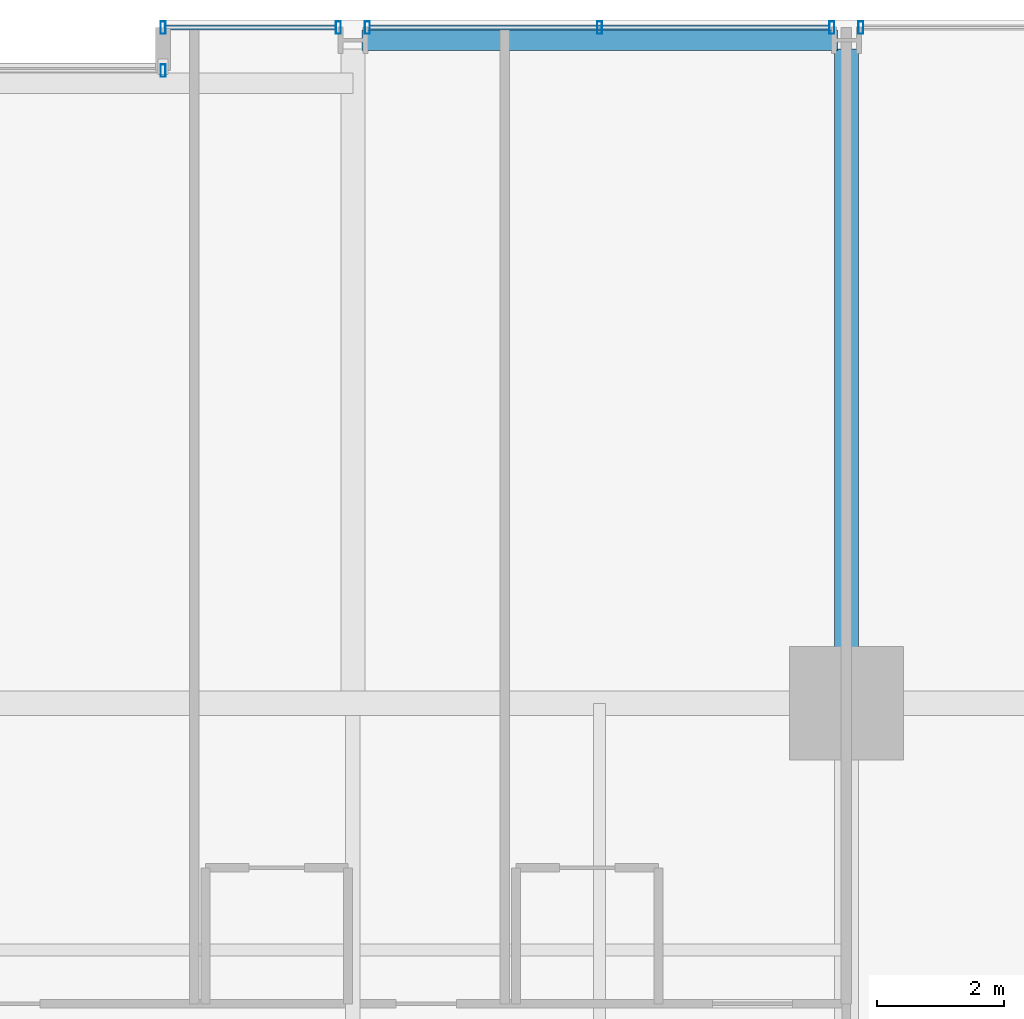
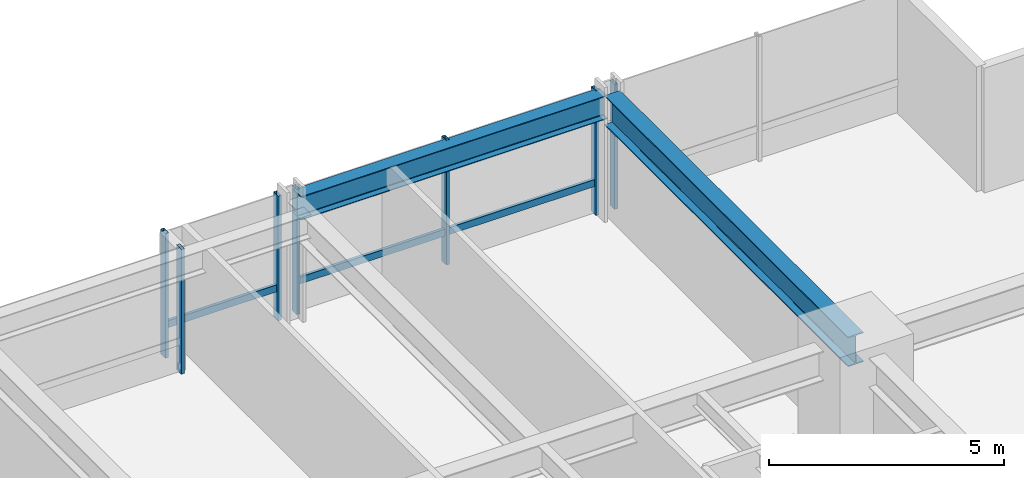
# One storey, part 27 of 38: 9 members, 2 beams, 4 elements without a shape of their own.
"""IFC4 building model written with IfcOpenShell, lengths in metres."""

from ifc_helpers import new_model, si_unit, direction, frame, origin, origin_2d, place, context, subcontext, project, spatial, hollow_rectangle, i_section, extrude, material, layer, layer_set, material_profile, profile_set, type_object, element, aggregate, save


model = new_model("IFC4")

# Units and contexts
model_context = context("Model", 3, precision=1e-05, world=origin(), true_north=direction((0.0, 1.0)))
body_context = subcontext(model_context, "Body", "Model", "MODEL_VIEW")
ifc_project = project(units=[si_unit("LENGTHUNIT", "METRE"), si_unit("AREAUNIT", "SQUARE_METRE"), si_unit("VOLUMEUNIT", "CUBIC_METRE"), si_unit("PLANEANGLEUNIT", "RADIAN"), si_unit("MASSUNIT", "GRAM", prefix="KILO")], contexts=[model_context])

# Site, building, storey
site_placement = place(None, origin())
site = spatial("IfcSite", under=ifc_project, at=site_placement, CompositionType="ELEMENT")
building_placement = place(site_placement, origin())
building = spatial("IfcBuilding", under=site, at=building_placement, Name="Drelvath Grand Hotel", CompositionType="ELEMENT")
storey_placement = place(building_placement, frame((0.0, 0.0, 64.699951171875)))
storey = spatial("IfcBuildingStorey", under=building, at=storey_placement, Name="L15", CompositionType="ELEMENT", Elevation=64.699951171875)

# Curtain wall, member
ifc_material_1 = material(Name="Warm Bronze Anodised Aluminium Frame", Category="aluminium")
ifc_layer = layer(ifc_material_1, 0.199951171875)
ifc_layer_set = layer_set([ifc_layer], Name="Warm Bronze Anodised Aluminium Frame")
curtain_wall_type = type_object("IfcCurtainWallType", Name="Stick Curtain Wall CW-02 Warm Bronze Low-Rise", PredefinedType="NOTDEFINED", material=ifc_layer_set)
curtain_wall_1_placement = place(storey_placement, origin())
curtain_wall_1 = element("IfcCurtainWall", 1, at=curtain_wall_1_placement, inside=storey, type_object=curtain_wall_type, Name="L15 CW-02 Curtain Wall CW02-L15-NE1", PredefinedType="NOTDEFINED")
ifc_material_profile_1 = material_profile(ifc_material_1, hollow_rectangle(XDim=0.074951171875, YDim=0.179931640625, WallThickness=0.0048828125, at=origin_2d()), Name="HSS180X75X5")
ifc_profile_set_1 = profile_set([ifc_material_profile_1], Name="Warm Bronze Anodised Aluminium Frame")
member_type_1 = type_object("IfcMemberType", Name="Curtain Wall Horizontal Transom CW-02 HSS180X75X5", PredefinedType="USERDEFINED", material=ifc_profile_set_1)
member_1_placement = place(storey_placement, frame((5.43994140625, 53.8798828125, 0.81005859375), z_axis=(1.0, 0.0, 0.0), x_axis=(0.0, 1.0, 0.0)))
member_1 = element("IfcMember", 2, at=member_1_placement, type_object=member_type_1, Name="CW02-L15-NE1 Sill Transom", ObjectType="TRANSOM", PredefinedType="USERDEFINED", context=body_context, shape_type="SweptSolid", body=[
    extrude(hollow_rectangle(XDim=0.074951171875, YDim=0.179931640625, WallThickness=0.0048828125, at=origin_2d()), origin(), (0.0, 0.0, 1.0), 2.69091796875),
])

curtain_wall_2_placement = place(storey_placement, origin())
curtain_wall_2 = element("IfcCurtainWall", 3, at=curtain_wall_2_placement, inside=storey, type_object=curtain_wall_type, Name="L15 CW-02 Curtain Wall CW02-L15-NE2", PredefinedType="NOTDEFINED")
member_2_placement = place(storey_placement, frame((8.669189453125, 53.8798828125, 0.81005859375), z_axis=(1.0, 0.0, 0.0), x_axis=(0.0, 1.0, 0.0)))
member_2 = element("IfcMember", 4, at=member_2_placement, type_object=member_type_1, Name="CW02-L15-NE2 Sill Transom", ObjectType="TRANSOM", PredefinedType="USERDEFINED", context=body_context, shape_type="SweptSolid", body=[
    extrude(hollow_rectangle(XDim=0.074951171875, YDim=0.179931640625, WallThickness=0.0048828125, at=origin_2d()), origin(), (0.0, 0.0, 1.0), 7.26171875),
])

curtain_wall_3_placement = place(storey_placement, origin())
curtain_wall_3 = element("IfcCurtainWall", 5, at=curtain_wall_3_placement, inside=storey, type_object=curtain_wall_type, Name="L15 CW-02 Curtain Wall CW02-L15-NM2", PredefinedType="NOTDEFINED")
ifc_material_profile_2 = material_profile(ifc_material_1, hollow_rectangle(XDim=0.080078125, YDim=0.199951171875, WallThickness=0.0048828125, at=origin_2d()), Name="HSS200X80X5")
ifc_profile_set_2 = profile_set([ifc_material_profile_2], Name="Warm Bronze Anodised Aluminium Frame")
member_type_2 = type_object("IfcMemberType", Name="Curtain Wall Vertical Mullion CW-02 HSS200X80X5", PredefinedType="MULLION", material=ifc_profile_set_2)
member_3_placement = place(storey_placement, frame((5.39990234375, 53.199951171875, 0.0), z_axis=(0.0, 0.0, 1.0), x_axis=(1.0, 0.0, 0.0)))
member_3 = element("IfcMember", 6, at=member_3_placement, type_object=member_type_2, Name="CW02-L15-NM2 Mullion 2", PredefinedType="MULLION", context=body_context, shape_type="SweptSolid", body=[
    extrude(hollow_rectangle(XDim=0.080078125, YDim=0.199951171875, WallThickness=0.0048828125, at=origin_2d()), origin(), (0.0, 0.0, 1.0), 3.239990234375),
])
aggregate(curtain_wall_3, [member_3])

# Member
member_4_placement = place(storey_placement, frame((5.39990234375, 53.8798828125, 0.0), z_axis=(0.0, 0.0, 1.0), x_axis=(1.0, 0.0, 0.0)))
member_4 = element("IfcMember", 7, at=member_4_placement, type_object=member_type_2, Name="CW02-L15-NE1 Mullion 1", PredefinedType="MULLION", context=body_context, shape_type="SweptSolid", body=[
    extrude(hollow_rectangle(XDim=0.080078125, YDim=0.199951171875, WallThickness=0.0048828125, at=origin_2d()), origin(), (0.0, 0.0, 1.0), 3.239990234375),
])

member_5_placement = place(storey_placement, frame((8.1708984375, 53.8798828125, 0.0), z_axis=(0.0, 0.0, 1.0), x_axis=(1.0, 0.0, 0.0)))
member_5 = element("IfcMember", 8, at=member_5_placement, type_object=member_type_2, Name="CW02-L15-NE1 Mullion 2", PredefinedType="MULLION", context=body_context, shape_type="SweptSolid", body=[
    extrude(hollow_rectangle(XDim=0.080078125, YDim=0.199951171875, WallThickness=0.0048828125, at=origin_2d()), origin(), (0.0, 0.0, 1.0), 3.239990234375),
])

aggregate(curtain_wall_1, [member_4, member_5, member_1])

member_6_placement = place(storey_placement, frame((8.629150390625, 53.8798828125, 0.0), z_axis=(0.0, 0.0, 1.0), x_axis=(1.0, 0.0, 0.0)))
member_6 = element("IfcMember", 9, at=member_6_placement, type_object=member_type_2, Name="CW02-L15-NE2 Mullion 1", PredefinedType="MULLION", context=body_context, shape_type="SweptSolid", body=[
    extrude(hollow_rectangle(XDim=0.080078125, YDim=0.199951171875, WallThickness=0.0048828125, at=origin_2d()), origin(), (0.0, 0.0, 1.0), 3.239990234375),
])

member_7_placement = place(storey_placement, frame((12.300048828125, 53.8798828125, 0.0), z_axis=(0.0, 0.0, 1.0), x_axis=(1.0, 0.0, 0.0)))
member_7 = element("IfcMember", 10, at=member_7_placement, type_object=member_type_2, Name="CW02-L15-NE2 Mullion 2", PredefinedType="MULLION", context=body_context, shape_type="SweptSolid", body=[
    extrude(hollow_rectangle(XDim=0.080078125, YDim=0.199951171875, WallThickness=0.0048828125, at=origin_2d()), origin(), (0.0, 0.0, 1.0), 3.239990234375),
])

member_8_placement = place(storey_placement, frame((15.970947265625, 53.8798828125, 0.0), z_axis=(0.0, 0.0, 1.0), x_axis=(1.0, 0.0, 0.0)))
member_8 = element("IfcMember", 11, at=member_8_placement, type_object=member_type_2, Name="CW02-L15-NE2 Mullion 3", PredefinedType="MULLION", context=body_context, shape_type="SweptSolid", body=[
    extrude(hollow_rectangle(XDim=0.080078125, YDim=0.199951171875, WallThickness=0.0048828125, at=origin_2d()), origin(), (0.0, 0.0, 1.0), 3.239990234375),
])

aggregate(curtain_wall_2, [member_6, member_7, member_8, member_2])

# Curtain wall, member
curtain_wall_4_placement = place(storey_placement, origin())
curtain_wall_4 = element("IfcCurtainWall", 12, at=curtain_wall_4_placement, inside=storey, type_object=curtain_wall_type, Name="L15 CW-02 Curtain Wall CW02-L15-NE3", PredefinedType="NOTDEFINED")
member_9_placement = place(storey_placement, frame((16.42919921875, 53.8798828125, 0.0), z_axis=(0.0, 0.0, 1.0), x_axis=(1.0, 0.0, 0.0)))
member_9 = element("IfcMember", 13, at=member_9_placement, type_object=member_type_2, Name="CW02-L15-NE3 Mullion 1", PredefinedType="MULLION", context=body_context, shape_type="SweptSolid", body=[
    extrude(hollow_rectangle(XDim=0.080078125, YDim=0.199951171875, WallThickness=0.0048828125, at=origin_2d()), origin(), (0.0, 0.0, 1.0), 3.239990234375),
])
aggregate(curtain_wall_4, [member_9])

# Beams
ifc_material_2 = material(Name="Steel ASTM A992 Gr 50", Category="steel")
ifc_material_profile_3 = material_profile(ifc_material_2, i_section(OverallWidth=0.323974609375, OverallDepth=0.611083984375, WebThickness=0.0126953125, FlangeThickness=0.01904296875, FilletRadius=0.02197265625, at=origin_2d()), Name="W24X104")
ifc_profile_set_3 = profile_set([ifc_material_profile_3], Name="Steel ASTM A992 Gr 50")
beam_type_1 = type_object("IfcBeamType", Name="Perimeter Spandrel Beam W24X104", PredefinedType="SPANDREL", material=ifc_profile_set_3)
beam_1_placement = place(storey_placement, frame((8.5400390625, 53.679931640625, 2.9345703125), z_axis=(1.0, 0.0, 0.0), x_axis=(0.0, 1.0, 0.0)))
element("IfcBeam", 14, at=beam_1_placement, inside=storey, type_object=beam_type_1, Name="L15 Spandrel North E", PredefinedType="SPANDREL", context=body_context, shape_type="SweptSolid", body=[
    extrude(i_section(OverallWidth=0.323974609375, OverallDepth=0.611083984375, WebThickness=0.0126953125, FlangeThickness=0.01904296875, FilletRadius=0.02197265625, at=origin_2d()), origin(), (0.0, 0.0, 1.0), 7.52001953125),
])
ifc_material_profile_4 = material_profile(ifc_material_2, i_section(OverallWidth=0.380615234375, OverallDepth=0.773193359375, WebThickness=0.0166015625, FlangeThickness=0.027099609375, FilletRadius=0.02490234375, at=origin_2d()), Name="W30X173")
ifc_profile_set_4 = profile_set([ifc_material_profile_4], Name="Steel ASTM A992 Gr 50")
beam_type_2 = type_object("IfcBeamType", Name="Primary Floor Girder W30X173", PredefinedType="BEAM", material=ifc_profile_set_4)
beam_2_placement = place(storey_placement, frame((16.199951171875, 43.199951171875, 2.853515625), z_axis=(0.0, 1.0, 0.0), x_axis=(-1.0, 0.0, 0.0)))
element("IfcBeam", 15, at=beam_2_placement, inside=storey, type_object=beam_type_2, Name="L15 North Grid Girder 7", PredefinedType="BEAM", context=body_context, shape_type="SweptSolid", body=[
    extrude(i_section(OverallWidth=0.380615234375, OverallDepth=0.773193359375, WebThickness=0.0166015625, FlangeThickness=0.027099609375, FilletRadius=0.02490234375, at=origin_2d()), origin(), (0.0, 0.0, 1.0), 10.340087890625),
])

save(model, "model.ifc")
